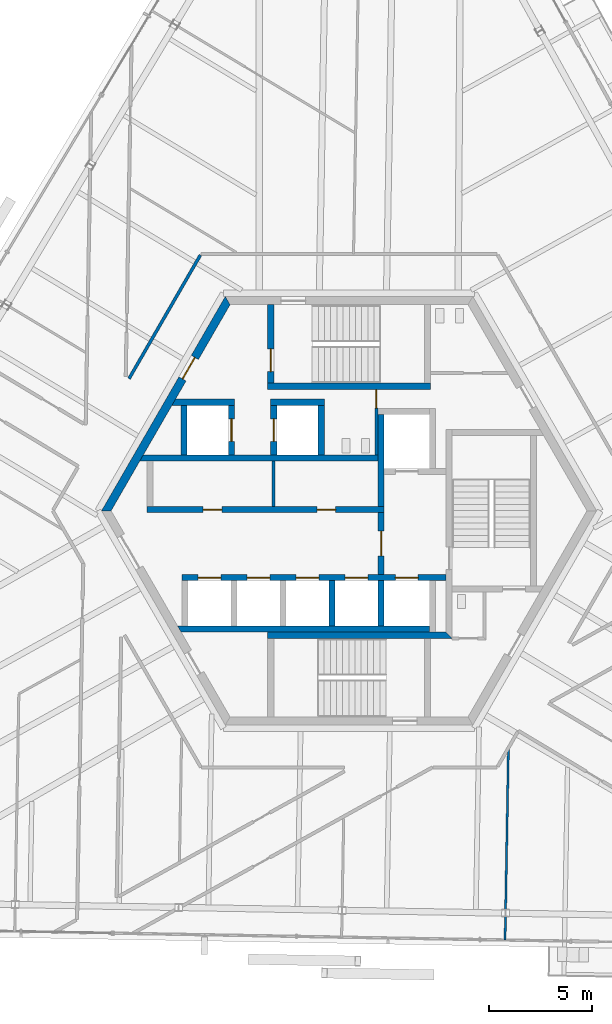
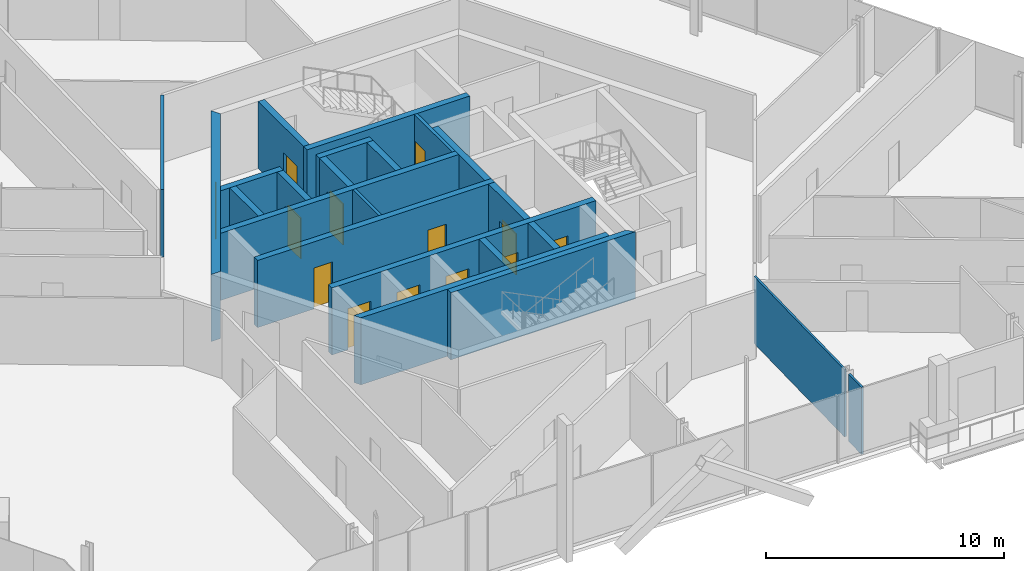
# One storey, part 12 of 20: 23 walls, 13 doors, 13 openings.
"""IFC4 building model written with IfcOpenShell, lengths in metres."""

from ifc_helpers import new_model, si_unit, direction, frame, frame_2d, origin, place, context, subcontext, project, spatial, polyline, rectangle, outline, extrude, source, transform, mapped, material, layer, layer_set, type_object, element, fill, save


model = new_model("IFC4")

# Units and contexts
model_context = context("Model", 3, precision=1e-05, world=origin(), true_north=direction((0.0, 1.0)))
body_context = subcontext(model_context, "Body", "Model", "MODEL_VIEW")
ifc_project = project(units=[si_unit("LENGTHUNIT", "METRE"), si_unit("AREAUNIT", "SQUARE_METRE"), si_unit("VOLUMEUNIT", "CUBIC_METRE"), si_unit("PLANEANGLEUNIT", "RADIAN"), si_unit("MASSUNIT", "GRAM", prefix="KILO")], contexts=[model_context])

# Site, building, storey
site_placement = place(None, origin())
site = spatial("IfcSite", under=ifc_project, at=site_placement, CompositionType="ELEMENT")
building_placement = place(site_placement, origin())
building = spatial("IfcBuilding", under=site, at=building_placement, Name="Triune Harvest Tower", CompositionType="ELEMENT")
storey_placement = place(building_placement, frame((0.0, 0.0, 194.300048828125)))
storey = spatial("IfcBuildingStorey", under=building, at=storey_placement, Name="L50", CompositionType="ELEMENT", Elevation=194.300048828125)

# Wall, opening, door
ifc_material_1 = material(Name="Concrete 70 MPa", Category="concrete")
ifc_layer_1 = layer(ifc_material_1, 0.39990234375)
ifc_layer_set_1 = layer_set([ifc_layer_1], Name="Concrete 70 MPa")
wall_type_1 = type_object("IfcWallType", Name="Core wall 400", PredefinedType="SHEAR", material=ifc_layer_set_1)
shared_shape_1 = source(origin(), body_context, "Body", "SweptSolid", [
    extrude(outline(polyline([(-0.115478515625, -0.199951171875), (11.884521484375, -0.199951171875), (11.653564453125, 0.199951171875), (0.115478515625, 0.199951171875), (-0.115478515625, -0.199951171875)])), origin(), (0.0, 0.0, 1.0), 3.43994140625),
])
wall_1_placement = place(storey_placement, frame((-5.884521484375, 10.1923828125, 0.0), z_axis=(0.0, 0.0, 1.0), x_axis=(-0.499996592174, -0.866027371285, 0.0)))
wall_1 = element("IfcWall", 1, at=wall_1_placement, inside=storey, type_object=wall_type_1, Name="Hexagon 2 wall", PredefinedType="SHEAR", context=body_context, shape_type="MappedRepresentation", body=[
    mapped(shared_shape_1, transform((0.0, 0.0, 0.0), scale=1.0)),
])
opening_1_placement = place(wall_1_placement, frame((3.1845703125, 0.0, 0.0)))
opening_1 = element("IfcOpeningElement", 2, at=opening_1_placement, cuts=wall_1, Name="Opening CD-SVP", PredefinedType="OPENING", context=body_context, shape_type="SweptSolid", body=[
    extrude(rectangle(XDim=1.199951171875, YDim=2.10009765625, at=frame_2d((0.60009765625, 1.050048828125))), frame((0.0, 0.2099609375, 0.0), z_axis=(0.0, -1.0, 0.0), x_axis=(1.0, 0.0, 0.0)), (0.0, 0.0, 1.0), 0.419921875),
])
ifc_material_2 = material(Name="Steel S235", Category="steel")
door_type_1 = type_object("IfcDoorType", Name="Service door 1200 FD120", OperationType="SINGLE_SWING_LEFT", PredefinedType="DOOR", material=ifc_material_2)
door_1_placement = place(opening_1_placement, frame((1.199951171875, 0.0, 0.0), z_axis=(0.0, 0.0, 1.0), x_axis=(-1.0, 0.0, 0.0)))
door_1 = element("IfcDoor", 3, at=door_1_placement, inside=storey, type_object=door_type_1, Name="Door CD-SVP", OperationType="SINGLE_SWING_RIGHT", OverallHeight=2.10009765625, OverallWidth=1.199951171875, PredefinedType="DOOR", context=body_context, shape_type="SweptSolid", body=[
    extrude(rectangle(XDim=1.199951171875, YDim=2.10009765625, at=frame_2d((0.60009765625, 1.050048828125))), frame((0.0, 0.02490234375, 0.0), z_axis=(0.0, -1.0, 0.0), x_axis=(1.0, 0.0, 0.0)), (0.0, 0.0, 1.0), 0.050048828125),
])
fill(opening_1, door_1)

# Wall, openings, doors
ifc_material_3 = material(Name="Concrete 70 MPa", Category="concrete")
ifc_layer_2 = layer(ifc_material_3, 0.300048828125)
ifc_layer_set_2 = layer_set([ifc_layer_2], Name="Concrete 70 MPa")
wall_type_2 = type_object("IfcWallType", Name="Core wall 300", PredefinedType="SHEAR", material=ifc_layer_set_2)
shared_shape_2 = source(origin(), body_context, "Body", "SweptSolid", [
    extrude(rectangle(XDim=11.5, YDim=0.300048828125, at=frame_2d((5.75, 0.0))), origin(), (0.0, 0.0, 1.0), 3.43994140625),
])
wall_2_placement = place(storey_placement, frame((-9.800048828125, 0.06005859375, 0.0), z_axis=(0.0, 0.0, 1.0), x_axis=(1.0, 0.0, 0.0)))
wall_2 = element("IfcWall", 4, at=wall_2_placement, inside=storey, type_object=wall_type_2, Name="North front wall", PredefinedType="SHEAR", context=body_context, shape_type="MappedRepresentation", body=[
    mapped(shared_shape_2, transform((0.0, 0.0, 0.0), scale=1.0)),
])
opening_2_placement = place(wall_2_placement, frame((2.7275390625, 0.0, 0.0)))
opening_2 = element("IfcOpeningElement", 5, at=opening_2_placement, cuts=wall_2, Name="Opening CD-RN1", PredefinedType="OPENING", context=body_context, shape_type="SweptSolid", body=[
    extrude(rectangle(XDim=0.89990234375, YDim=2.10009765625, at=frame_2d((0.449951171875, 1.050048828125))), frame((0.0, 0.16015625, 0.0), z_axis=(0.0, -1.0, 0.0), x_axis=(1.0, 0.0, 0.0)), (0.0, 0.0, 1.0), 0.320068359375),
])
opening_3_placement = place(wall_2_placement, frame((8.25244140625, 0.0, 0.0)))
opening_3 = element("IfcOpeningElement", 6, at=opening_3_placement, cuts=wall_2, Name="Opening CD-RN2", PredefinedType="OPENING", context=body_context, shape_type="SweptSolid", body=[
    extrude(rectangle(XDim=0.89990234375, YDim=2.10009765625, at=frame_2d((0.449951171875, 1.050048828125))), frame((0.0, 0.16015625, 0.0), z_axis=(0.0, -1.0, 0.0), x_axis=(1.0, 0.0, 0.0)), (0.0, 0.0, 1.0), 0.320068359375),
])
ifc_material_4 = material(Name="Steel S235", Category="steel")
door_type_2 = type_object("IfcDoorType", Name="Riser door 900 FD120", OperationType="SINGLE_SWING_LEFT", PredefinedType="DOOR", material=ifc_material_4)
door_2_placement = place(opening_2_placement, frame((0.89990234375, 0.0, 0.0), z_axis=(0.0, 0.0, 1.0), x_axis=(-1.0, 0.0, 0.0)))
door_2 = element("IfcDoor", 7, at=door_2_placement, inside=storey, type_object=door_type_2, Name="Door CD-RN1", OperationType="SINGLE_SWING_RIGHT", OverallHeight=2.10009765625, OverallWidth=0.89990234375, PredefinedType="DOOR", context=body_context, shape_type="SweptSolid", body=[
    extrude(rectangle(XDim=0.89990234375, YDim=2.10009765625, at=frame_2d((0.449951171875, 1.050048828125))), frame((0.0, 0.02490234375, 0.0), z_axis=(0.0, -1.0, 0.0), x_axis=(1.0, 0.0, 0.0)), (0.0, 0.0, 1.0), 0.050048828125),
])
fill(opening_2, door_2)
door_3_placement = place(opening_3_placement, frame((0.89990234375, 0.0, 0.0), z_axis=(0.0, 0.0, 1.0), x_axis=(-1.0, 0.0, 0.0)))
door_3 = element("IfcDoor", 8, at=door_3_placement, inside=storey, type_object=door_type_2, Name="Door CD-RN2", OperationType="SINGLE_SWING_RIGHT", OverallHeight=2.10009765625, OverallWidth=0.89990234375, PredefinedType="DOOR", context=body_context, shape_type="SweptSolid", body=[
    extrude(rectangle(XDim=0.89990234375, YDim=2.10009765625, at=frame_2d((0.449951171875, 1.050048828125))), frame((0.0, 0.02490234375, 0.0), z_axis=(0.0, -1.0, 0.0), x_axis=(1.0, 0.0, 0.0)), (0.0, 0.0, 1.0), 0.050048828125),
])
fill(opening_3, door_3)

# Walls
shared_shape_3 = source(origin(), body_context, "Body", "SweptSolid", [
    extrude(outline(polyline([(11.199951171875, -0.14990234375), (-0.34912109375, -0.14990234375), (-0.17578125, 0.14990234375), (11.199951171875, 0.14990234375), (11.199951171875, -0.14990234375)])), origin(), (0.0, 0.0, 1.0), 3.43994140625),
])
wall_3_placement = place(storey_placement, frame((-9.800048828125, 2.56005859375, 0.0), z_axis=(0.0, 0.0, 1.0), x_axis=(1.0, 0.0, 0.0)))
element("IfcWall", 9, at=wall_3_placement, inside=storey, type_object=wall_type_2, Name="North back wall", PredefinedType="SHEAR", context=body_context, shape_type="MappedRepresentation", body=[
    mapped(shared_shape_3, transform((0.0, 0.0, 0.0), scale=1.0)),
])
shared_shape_4 = source(origin(), body_context, "Body", "SweptSolid", [
    extrude(rectangle(XDim=4.449951171875, YDim=0.300048828125, at=frame_2d((2.22509765625, 0.0))), origin(), (0.0, 0.0, 1.0), 3.43994140625),
])
wall_4_placement = place(storey_placement, frame((1.550048828125, 0.2099609375, 0.0), z_axis=(0.0, 0.0, 1.0), x_axis=(0.0, 1.0, 0.0)))
element("IfcWall", 10, at=wall_4_placement, inside=storey, type_object=wall_type_2, Name="Ff1 west wall", PredefinedType="SHEAR", context=body_context, shape_type="MappedRepresentation", body=[
    mapped(shared_shape_4, transform((0.0, 0.0, 0.0), scale=1.0)),
])

# Wall, opening, door
shared_shape_5 = source(origin(), body_context, "Body", "SweptSolid", [
    extrude(rectangle(XDim=3.0, YDim=0.300048828125, at=frame_2d((1.5, 0.0))), origin(), (0.0, 0.0, 1.0), 3.43994140625),
])
wall_5_placement = place(storey_placement, frame((1.550048828125, -3.090087890625, 0.0), z_axis=(0.0, 0.0, 1.0), x_axis=(0.0, 1.0, 0.0)))
wall_5 = element("IfcWall", 11, at=wall_5_placement, inside=storey, type_object=wall_type_2, Name="Ff lobby west wall", PredefinedType="SHEAR", context=body_context, shape_type="MappedRepresentation", body=[
    mapped(shared_shape_5, transform((0.0, 0.0, 0.0), scale=1.0)),
])
opening_4_placement = place(wall_5_placement, frame((0.89990234375, 0.0, 0.0)))
opening_4 = element("IfcOpeningElement", 12, at=opening_4_placement, cuts=wall_5, Name="Opening CD-FL", PredefinedType="OPENING", context=body_context, shape_type="SweptSolid", body=[
    extrude(rectangle(XDim=1.199951171875, YDim=2.10009765625, at=frame_2d((0.60009765625, 1.050048828125))), frame((0.0, 0.16015625, 0.0), z_axis=(0.0, -1.0, 0.0), x_axis=(1.0, 0.0, 0.0)), (0.0, 0.0, 1.0), 0.320068359375),
])
ifc_material_5 = material(Name="Steel S235", Category="steel")
door_type_3 = type_object("IfcDoorType", Name="Firefighters' lobby door 1200 FD120", OperationType="SINGLE_SWING_LEFT", PredefinedType="DOOR", material=ifc_material_5)
door_4_placement = place(opening_4_placement, frame((1.199951171875, 0.0, 0.0), z_axis=(0.0, 0.0, 1.0), x_axis=(-1.0, 0.0, 0.0)))
door_4 = element("IfcDoor", 13, at=door_4_placement, inside=storey, type_object=door_type_3, Name="Door CD-FL", OperationType="SINGLE_SWING_RIGHT", OverallHeight=2.10009765625, OverallWidth=1.199951171875, PredefinedType="DOOR", context=body_context, shape_type="SweptSolid", body=[
    extrude(rectangle(XDim=1.199951171875, YDim=2.10009765625, at=frame_2d((0.60009765625, 1.050048828125))), frame((0.0, 0.02490234375, 0.0), z_axis=(0.0, -1.0, 0.0), x_axis=(1.0, 0.0, 0.0)), (0.0, 0.0, 1.0), 0.050048828125),
])
fill(opening_4, door_4)

# Wall, openings, doors
shared_shape_6 = source(origin(), body_context, "Body", "SweptSolid", [
    extrude(rectangle(XDim=12.800048828125, YDim=0.300048828125, at=frame_2d((6.39990234375, 0.0))), origin(), (0.0, 0.0, 1.0), 3.43994140625),
])
wall_6_placement = place(storey_placement, frame((-8.10009765625, -3.239990234375, 0.0), z_axis=(0.0, 0.0, 1.0), x_axis=(1.0, 0.0, 0.0)))
wall_6 = element("IfcWall", 14, at=wall_6_placement, inside=storey, type_object=wall_type_2, Name="South front wall", PredefinedType="SHEAR", context=body_context, shape_type="MappedRepresentation", body=[
    mapped(shared_shape_6, transform((0.0, 0.0, 0.0), scale=1.0)),
])
opening_5_placement = place(wall_6_placement, frame((0.78759765625, 0.0, 0.0)))
opening_5 = element("IfcOpeningElement", 15, at=opening_5_placement, cuts=wall_6, Name="Opening LD-HR1-50", PredefinedType="OPENING", context=body_context, shape_type="SweptSolid", body=[
    extrude(rectangle(XDim=1.10009765625, YDim=2.10009765625, at=frame_2d((0.550048828125, 1.050048828125))), frame((0.0, 0.16015625, 0.0), z_axis=(0.0, -1.0, 0.0), x_axis=(1.0, 0.0, 0.0)), (0.0, 0.0, 1.0), 0.320068359375),
])
opening_6_placement = place(wall_6_placement, frame((3.16259765625, 0.0, 0.0)))
opening_6 = element("IfcOpeningElement", 16, at=opening_6_placement, cuts=wall_6, Name="Opening LD-HR2-50", PredefinedType="OPENING", context=body_context, shape_type="SweptSolid", body=[
    extrude(rectangle(XDim=1.10009765625, YDim=2.10009765625, at=frame_2d((0.550048828125, 1.050048828125))), frame((0.0, 0.16015625, 0.0), z_axis=(0.0, -1.0, 0.0), x_axis=(1.0, 0.0, 0.0)), (0.0, 0.0, 1.0), 0.320068359375),
])
opening_7_placement = place(wall_6_placement, frame((5.53759765625, 0.0, 0.0)))
opening_7 = element("IfcOpeningElement", 17, at=opening_7_placement, cuts=wall_6, Name="Opening LD-HR3-50", PredefinedType="OPENING", context=body_context, shape_type="SweptSolid", body=[
    extrude(rectangle(XDim=1.10009765625, YDim=2.10009765625, at=frame_2d((0.550048828125, 1.050048828125))), frame((0.0, 0.16015625, 0.0), z_axis=(0.0, -1.0, 0.0), x_axis=(1.0, 0.0, 0.0)), (0.0, 0.0, 1.0), 0.320068359375),
])
opening_8_placement = place(wall_6_placement, frame((7.91259765625, 0.0, 0.0)))
opening_8 = element("IfcOpeningElement", 18, at=opening_8_placement, cuts=wall_6, Name="Opening LD-HR4-50", PredefinedType="OPENING", context=body_context, shape_type="SweptSolid", body=[
    extrude(rectangle(XDim=1.10009765625, YDim=2.10009765625, at=frame_2d((0.550048828125, 1.050048828125))), frame((0.0, 0.16015625, 0.0), z_axis=(0.0, -1.0, 0.0), x_axis=(1.0, 0.0, 0.0)), (0.0, 0.0, 1.0), 0.320068359375),
])
opening_9_placement = place(wall_6_placement, frame((10.35009765625, 0.0, 0.0)))
opening_9 = element("IfcOpeningElement", 19, at=opening_9_placement, cuts=wall_6, Name="Opening LD-FF2-50", PredefinedType="OPENING", context=body_context, shape_type="SweptSolid", body=[
    extrude(rectangle(XDim=1.10009765625, YDim=2.10009765625, at=frame_2d((0.550048828125, 1.050048828125))), frame((0.0, 0.16015625, 0.0), z_axis=(0.0, -1.0, 0.0), x_axis=(1.0, 0.0, 0.0)), (0.0, 0.0, 1.0), 0.320068359375),
])
ifc_material_6 = material(Name="Stainless steel AISI 304", Category="steel")
door_type_4 = type_object("IfcDoorType", Name="Landing door 1100 x 2100", OperationType="DOUBLE_DOOR_SLIDING", PredefinedType="DOOR", material=ifc_material_6)
door_5_placement = place(opening_5_placement, origin())
door_5 = element("IfcDoor", 20, at=door_5_placement, inside=storey, type_object=door_type_4, Name="Door LD-HR1-50", OperationType="DOUBLE_DOOR_SLIDING", OverallHeight=2.10009765625, OverallWidth=1.10009765625, PredefinedType="DOOR", context=body_context, shape_type="SweptSolid", body=[
    extrude(rectangle(XDim=1.10009765625, YDim=2.10009765625, at=frame_2d((0.550048828125, 1.050048828125))), frame((0.0, 0.02490234375, 0.0), z_axis=(0.0, -1.0, 0.0), x_axis=(1.0, 0.0, 0.0)), (0.0, 0.0, 1.0), 0.050048828125),
])
fill(opening_5, door_5)
door_6_placement = place(opening_6_placement, origin())
door_6 = element("IfcDoor", 21, at=door_6_placement, inside=storey, type_object=door_type_4, Name="Door LD-HR2-50", OperationType="DOUBLE_DOOR_SLIDING", OverallHeight=2.10009765625, OverallWidth=1.10009765625, PredefinedType="DOOR", context=body_context, shape_type="SweptSolid", body=[
    extrude(rectangle(XDim=1.10009765625, YDim=2.10009765625, at=frame_2d((0.550048828125, 1.050048828125))), frame((0.0, 0.02490234375, 0.0), z_axis=(0.0, -1.0, 0.0), x_axis=(1.0, 0.0, 0.0)), (0.0, 0.0, 1.0), 0.050048828125),
])
fill(opening_6, door_6)
door_7_placement = place(opening_7_placement, origin())
door_7 = element("IfcDoor", 22, at=door_7_placement, inside=storey, type_object=door_type_4, Name="Door LD-HR3-50", OperationType="DOUBLE_DOOR_SLIDING", OverallHeight=2.10009765625, OverallWidth=1.10009765625, PredefinedType="DOOR", context=body_context, shape_type="SweptSolid", body=[
    extrude(rectangle(XDim=1.10009765625, YDim=2.10009765625, at=frame_2d((0.550048828125, 1.050048828125))), frame((0.0, 0.02490234375, 0.0), z_axis=(0.0, -1.0, 0.0), x_axis=(1.0, 0.0, 0.0)), (0.0, 0.0, 1.0), 0.050048828125),
])
fill(opening_7, door_7)
door_8_placement = place(opening_8_placement, origin())
door_8 = element("IfcDoor", 23, at=door_8_placement, inside=storey, type_object=door_type_4, Name="Door LD-HR4-50", OperationType="DOUBLE_DOOR_SLIDING", OverallHeight=2.10009765625, OverallWidth=1.10009765625, PredefinedType="DOOR", context=body_context, shape_type="SweptSolid", body=[
    extrude(rectangle(XDim=1.10009765625, YDim=2.10009765625, at=frame_2d((0.550048828125, 1.050048828125))), frame((0.0, 0.02490234375, 0.0), z_axis=(0.0, -1.0, 0.0), x_axis=(1.0, 0.0, 0.0)), (0.0, 0.0, 1.0), 0.050048828125),
])
fill(opening_8, door_8)
door_9_placement = place(opening_9_placement, origin())
door_9 = element("IfcDoor", 24, at=door_9_placement, inside=storey, type_object=door_type_4, Name="Door LD-FF2-50", OperationType="DOUBLE_DOOR_SLIDING", OverallHeight=2.10009765625, OverallWidth=1.10009765625, PredefinedType="DOOR", context=body_context, shape_type="SweptSolid", body=[
    extrude(rectangle(XDim=1.10009765625, YDim=2.10009765625, at=frame_2d((0.550048828125, 1.050048828125))), frame((0.0, 0.02490234375, 0.0), z_axis=(0.0, -1.0, 0.0), x_axis=(1.0, 0.0, 0.0)), (0.0, 0.0, 1.0), 0.050048828125),
])
fill(opening_9, door_9)

# Walls
shared_shape_7 = source(origin(), body_context, "Body", "SweptSolid", [
    extrude(outline(polyline([(12.0, -0.14990234375), (-0.039794921875, -0.14990234375), (-0.212890625, 0.14990234375), (12.0, 0.14990234375), (12.0, -0.14990234375)])), origin(), (0.0, 0.0, 1.0), 3.43994140625),
])
wall_7_placement = place(storey_placement, frame((-8.10009765625, -5.739990234375, 0.0), z_axis=(0.0, 0.0, 1.0), x_axis=(1.0, 0.0, 0.0)))
element("IfcWall", 25, at=wall_7_placement, inside=storey, type_object=wall_type_2, Name="South back wall", PredefinedType="SHEAR", context=body_context, shape_type="MappedRepresentation", body=[
    mapped(shared_shape_7, transform((0.0, 0.0, 0.0), scale=1.0)),
])
shared_shape_8 = source(origin(), body_context, "Body", "SweptSolid", [
    extrude(rectangle(XDim=2.2001953125, YDim=0.300048828125, at=frame_2d((1.10009765625, 0.0))), origin(), (0.0, 0.0, 1.0), 3.43994140625),
])
for number, where, z_axis, x_axis, name in (
    (26, (1.550048828125, -5.590087890625, 0.0), (0.0, 0.0, 1.0), (0.0, 1.0, 0.0), "Ff2 west wall"),
    (27, (-0.824951171875, -5.590087890625, 0.0), (0.0, 0.0, 1.0), (0.0, 1.0, 0.0), "South cross 3 wall"),
):
    element("IfcWall", number, at=place(storey_placement, frame(where, z_axis=z_axis, x_axis=x_axis)), inside=storey, type_object=wall_type_2, Name=name, PredefinedType="SHEAR", context=body_context, shape_type="MappedRepresentation", body=[
        mapped(shared_shape_8, transform((0.0, 0.0, 0.0), scale=1.0)),
    ])
shared_shape_9 = source(origin(), body_context, "Body", "SweptSolid", [
    extrude(rectangle(XDim=7.89990234375, YDim=0.300048828125, at=frame_2d((3.949951171875, 0.0))), origin(), (0.0, 0.0, 1.0), 3.43994140625),
])
wall_8_placement = place(storey_placement, frame((-3.949951171875, 6.0400390625, 0.0), z_axis=(0.0, 0.0, 1.0), x_axis=(1.0, 0.0, 0.0)))
element("IfcWall", 28, at=wall_8_placement, inside=storey, type_object=wall_type_2, Name="Stair n south wall", PredefinedType="SHEAR", context=body_context, shape_type="MappedRepresentation", body=[
    mapped(shared_shape_9, transform((0.0, 0.0, 0.0), scale=1.0)),
])

# Wall, opening, door
shared_shape_10 = source(origin(), body_context, "Body", "SweptSolid", [
    extrude(outline(polyline([(0.0, -0.14990234375), (0.0, 0.14990234375), (3.80419921875, 0.14990234375), (3.80419921875, -0.14990234375), (0.0, -0.14990234375)])), origin(), (0.0, 0.0, 1.0), 3.43994140625),
])
wall_9_placement = place(storey_placement, frame((-3.800048828125, 6.18994140625, 0.0), z_axis=(0.0, 0.0, 1.0), x_axis=(0.0, 1.0, 0.0)))
wall_9 = element("IfcWall", 29, at=wall_9_placement, inside=storey, type_object=wall_type_2, Name="Stair n west wall", PredefinedType="SHEAR", context=body_context, shape_type="MappedRepresentation", body=[
    mapped(shared_shape_10, transform((0.0, 0.0, 0.0), scale=1.0)),
])
opening_10_placement = place(wall_9_placement, frame((0.56005859375, 0.0, 0.0)))
opening_10 = element("IfcOpeningElement", 30, at=opening_10_placement, cuts=wall_9, Name="Opening CD-S1L", PredefinedType="OPENING", context=body_context, shape_type="SweptSolid", body=[
    extrude(rectangle(XDim=1.10009765625, YDim=2.10009765625, at=frame_2d((0.550048828125, 1.050048828125))), frame((0.0, 0.16015625, 0.0), z_axis=(0.0, -1.0, 0.0), x_axis=(1.0, 0.0, 0.0)), (0.0, 0.0, 1.0), 0.320068359375),
])
ifc_material_7 = material(Name="Steel S235", Category="steel")
door_type_5 = type_object("IfcDoorType", Name="Stair door 1100 FD120", OperationType="SINGLE_SWING_LEFT", PredefinedType="DOOR", material=ifc_material_7)
door_10_placement = place(opening_10_placement, frame((1.10009765625, 0.0, 0.0), z_axis=(0.0, 0.0, 1.0), x_axis=(-1.0, 0.0, 0.0)))
door_10 = element("IfcDoor", 31, at=door_10_placement, inside=storey, type_object=door_type_5, Name="Door CD-S1L", OperationType="SINGLE_SWING_RIGHT", OverallHeight=2.10009765625, OverallWidth=1.10009765625, PredefinedType="DOOR", context=body_context, shape_type="SweptSolid", body=[
    extrude(rectangle(XDim=1.10009765625, YDim=2.10009765625, at=frame_2d((0.550048828125, 1.050048828125))), frame((0.0, 0.02490234375, 0.0), z_axis=(0.0, -1.0, 0.0), x_axis=(1.0, 0.0, 0.0)), (0.0, 0.0, 1.0), 0.050048828125),
])
fill(opening_10, door_10)

# Walls
shared_shape_11 = source(origin(), body_context, "Body", "SweptSolid", [
    extrude(outline(polyline([(0.0, -0.14990234375), (8.949951171875, -0.14990234375), (8.64990234375, 0.14990234375), (0.0, 0.14990234375), (0.0, -0.14990234375)])), origin(), (0.0, 0.0, 1.0), 3.43994140625),
])
wall_10_placement = place(storey_placement, frame((-3.949951171875, -6.0400390625, 0.0), z_axis=(0.0, 0.0, 1.0), x_axis=(1.0, 0.0, 0.0)))
element("IfcWall", 32, at=wall_10_placement, inside=storey, type_object=wall_type_2, Name="Stair s north wall", PredefinedType="SHEAR", context=body_context, shape_type="MappedRepresentation", body=[
    mapped(shared_shape_11, transform((0.0, 0.0, 0.0), scale=1.0)),
])
shared_shape_12 = source(origin(), body_context, "Body", "SweptSolid", [
    extrude(outline(polyline([(2.60009765625, -0.14990234375), (-0.440185546875, -0.14990234375), (-0.26708984375, 0.14990234375), (2.60009765625, 0.14990234375), (2.60009765625, -0.14990234375)])), origin(), (0.0, 0.0, 1.0), 3.43994140625),
])
wall_11_placement = place(storey_placement, frame((-8.14990234375, 5.260009765625, 0.0), z_axis=(0.0, 0.0, 1.0), x_axis=(1.0, 0.0, 0.0)))
element("IfcWall", 33, at=wall_11_placement, inside=storey, type_object=wall_type_2, Name="Sv1 north wall", PredefinedType="SHEAR", context=body_context, shape_type="MappedRepresentation", body=[
    mapped(shared_shape_12, transform((0.0, 0.0, 0.0), scale=1.0)),
])
shared_shape_13 = source(origin(), body_context, "Body", "SweptSolid", [
    extrude(rectangle(XDim=2.400146484375, YDim=0.300048828125, at=frame_2d((1.2001953125, 0.0))), origin(), (0.0, 0.0, 1.0), 3.43994140625),
])
wall_12_placement = place(storey_placement, frame((-8.0, 2.7099609375, 0.0), z_axis=(0.0, 0.0, 1.0), x_axis=(0.0, 1.0, 0.0)))
element("IfcWall", 34, at=wall_12_placement, inside=storey, type_object=wall_type_2, Name="Sv1 west wall", PredefinedType="SHEAR", context=body_context, shape_type="MappedRepresentation", body=[
    mapped(shared_shape_13, transform((0.0, 0.0, 0.0), scale=1.0)),
])

# Wall, opening, door
wall_13_placement = place(storey_placement, frame((-5.699951171875, 2.7099609375, 0.0), z_axis=(0.0, 0.0, 1.0), x_axis=(0.0, 1.0, 0.0)))
wall_13 = element("IfcWall", 35, at=wall_13_placement, inside=storey, type_object=wall_type_2, Name="Sv1 east wall", PredefinedType="SHEAR", context=body_context, shape_type="MappedRepresentation", body=[
    mapped(shared_shape_13, transform((0.0, 0.0, 0.0), scale=1.0)),
])
opening_11_placement = place(wall_13_placement, frame((0.64990234375, 0.0, 0.0)))
opening_11 = element("IfcOpeningElement", 36, at=opening_11_placement, cuts=wall_13, Name="Opening LD-SV1-50", PredefinedType="OPENING", context=body_context, shape_type="SweptSolid", body=[
    extrude(rectangle(XDim=1.10009765625, YDim=2.10009765625, at=frame_2d((0.550048828125, 1.050048828125))), frame((0.0, 0.16015625, 0.0), z_axis=(0.0, -1.0, 0.0), x_axis=(1.0, 0.0, 0.0)), (0.0, 0.0, 1.0), 0.320068359375),
])
door_11_placement = place(opening_11_placement, origin())
door_11 = element("IfcDoor", 37, at=door_11_placement, inside=storey, type_object=door_type_4, Name="Door LD-SV1-50", OperationType="DOUBLE_DOOR_SLIDING", OverallHeight=2.10009765625, OverallWidth=1.10009765625, PredefinedType="DOOR", context=body_context, shape_type="SweptSolid", body=[
    extrude(rectangle(XDim=1.10009765625, YDim=2.10009765625, at=frame_2d((0.550048828125, 1.050048828125))), frame((0.0, 0.02490234375, 0.0), z_axis=(0.0, -1.0, 0.0), x_axis=(1.0, 0.0, 0.0)), (0.0, 0.0, 1.0), 0.050048828125),
])
fill(opening_11, door_11)

wall_14_placement = place(storey_placement, frame((-3.64990234375, 2.7099609375, 0.0), z_axis=(0.0, 0.0, 1.0), x_axis=(0.0, 1.0, 0.0)))
wall_14 = element("IfcWall", 38, at=wall_14_placement, inside=storey, type_object=wall_type_2, Name="Sv2 west wall", PredefinedType="SHEAR", context=body_context, shape_type="MappedRepresentation", body=[
    mapped(shared_shape_13, transform((0.0, 0.0, 0.0), scale=1.0)),
])
opening_12_placement = place(wall_14_placement, frame((0.64990234375, 0.0, 0.0)))
opening_12 = element("IfcOpeningElement", 39, at=opening_12_placement, cuts=wall_14, Name="Opening LD-SV2-50", PredefinedType="OPENING", context=body_context, shape_type="SweptSolid", body=[
    extrude(rectangle(XDim=1.10009765625, YDim=2.10009765625, at=frame_2d((0.550048828125, 1.050048828125))), frame((0.0, 0.16015625, 0.0), z_axis=(0.0, -1.0, 0.0), x_axis=(1.0, 0.0, 0.0)), (0.0, 0.0, 1.0), 0.320068359375),
])
door_12_placement = place(opening_12_placement, origin())
door_12 = element("IfcDoor", 40, at=door_12_placement, inside=storey, type_object=door_type_4, Name="Door LD-SV2-50", OperationType="DOUBLE_DOOR_SLIDING", OverallHeight=2.10009765625, OverallWidth=1.10009765625, PredefinedType="DOOR", context=body_context, shape_type="SweptSolid", body=[
    extrude(rectangle(XDim=1.10009765625, YDim=2.10009765625, at=frame_2d((0.550048828125, 1.050048828125))), frame((0.0, 0.02490234375, 0.0), z_axis=(0.0, -1.0, 0.0), x_axis=(1.0, 0.0, 0.0)), (0.0, 0.0, 1.0), 0.050048828125),
])
fill(opening_12, door_12)

# Walls
wall_15_placement = place(storey_placement, frame((-1.35009765625, 2.7099609375, 0.0), z_axis=(0.0, 0.0, 1.0), x_axis=(0.0, 1.0, 0.0)))
element("IfcWall", 41, at=wall_15_placement, inside=storey, type_object=wall_type_2, Name="Sv2 east wall", PredefinedType="SHEAR", context=body_context, shape_type="MappedRepresentation", body=[
    mapped(shared_shape_13, transform((0.0, 0.0, 0.0), scale=1.0)),
])
shared_shape_14 = source(origin(), body_context, "Body", "SweptSolid", [
    extrude(rectangle(XDim=2.60009765625, YDim=0.300048828125, at=frame_2d((1.300048828125, 0.0))), origin(), (0.0, 0.0, 1.0), 3.43994140625),
])
wall_16_placement = place(storey_placement, frame((-3.800048828125, 5.260009765625, 0.0), z_axis=(0.0, 0.0, 1.0), x_axis=(1.0, 0.0, 0.0)))
element("IfcWall", 42, at=wall_16_placement, inside=storey, type_object=wall_type_2, Name="Sv2 north wall", PredefinedType="SHEAR", context=body_context, shape_type="MappedRepresentation", body=[
    mapped(shared_shape_14, transform((0.0, 0.0, 0.0), scale=1.0)),
])

# Wall, opening, door
ifc_material_8 = material(Name="Concrete masonry unit", Category="masonry")
ifc_layer_3 = layer(ifc_material_8, 0.14990234375)
ifc_layer_set_3 = layer_set([ifc_layer_3], Name="Concrete masonry unit")
wall_type_3 = type_object("IfcWallType", Name="Block partition 150 unrated", PredefinedType="PARTITIONING", material=ifc_layer_set_3)
shared_shape_15 = source(origin(), body_context, "Body", "SweptSolid", [
    extrude(rectangle(XDim=3.179931640625, YDim=0.14990234375, at=frame_2d((1.58984375, 0.0))), origin(), (0.0, 0.0, 1.0), 3.43994140625),
])
wall_17_placement = place(storey_placement, frame((1.324951171875, 2.7099609375, 0.0), z_axis=(0.0, 0.0, 1.0), x_axis=(0.0, 1.0, 0.0)))
wall_17 = element("IfcWall", 43, at=wall_17_placement, inside=storey, type_object=wall_type_3, Name="Wc men east wall", PredefinedType="PARTITIONING", context=body_context, shape_type="MappedRepresentation", body=[
    mapped(shared_shape_15, transform((0.0, 0.0, 0.0), scale=1.0)),
])
opening_13_placement = place(wall_17_placement, frame((2.264892578125, 0.0, 0.0)))
opening_13 = element("IfcOpeningElement", 44, at=opening_13_placement, cuts=wall_17, Name="Opening CD-WM", PredefinedType="OPENING", context=body_context, shape_type="SweptSolid", body=[
    extrude(rectangle(XDim=0.89990234375, YDim=2.10009765625, at=frame_2d((0.449951171875, 1.050048828125))), frame((0.0, 0.0849609375, 0.0), z_axis=(0.0, -1.0, 0.0), x_axis=(1.0, 0.0, 0.0)), (0.0, 0.0, 1.0), 0.169921875),
])
ifc_material_9 = material(Name="Timber C24", Category="wood")
door_type_6 = type_object("IfcDoorType", Name="WC door 900", OperationType="SINGLE_SWING_LEFT", PredefinedType="DOOR", material=ifc_material_9)
door_13_placement = place(opening_13_placement, origin())
door_13 = element("IfcDoor", 45, at=door_13_placement, inside=storey, type_object=door_type_6, Name="Door CD-WM", OperationType="SINGLE_SWING_LEFT", OverallHeight=2.10009765625, OverallWidth=0.89990234375, PredefinedType="DOOR", context=body_context, shape_type="SweptSolid", body=[
    extrude(rectangle(XDim=0.89990234375, YDim=2.10009765625, at=frame_2d((0.449951171875, 1.050048828125))), frame((0.0, 0.02490234375, 0.0), z_axis=(0.0, -1.0, 0.0), x_axis=(1.0, 0.0, 0.0)), (0.0, 0.0, 1.0), 0.050048828125),
])
fill(opening_13, door_13)

# Walls
ifc_material_10 = material(Name="Concrete masonry unit", Category="masonry")
ifc_layer_4 = layer(ifc_material_10, 0.14990234375)
ifc_layer_set_4 = layer_set([ifc_layer_4], Name="Concrete masonry unit")
wall_type_4 = type_object("IfcWallType", Name="Block partition 150", PredefinedType="PARTITIONING", material=ifc_layer_set_4)
shared_shape_16 = source(origin(), body_context, "Body", "SweptSolid", [
    extrude(rectangle(XDim=2.199951171875, YDim=0.14990234375, at=frame_2d((1.10009765625, 0.0))), origin(), (0.0, 0.0, 1.0), 3.43994140625),
])
wall_18_placement = place(storey_placement, frame((-3.669921875, 0.2099609375, 0.0), z_axis=(0.0, 0.0, 1.0), x_axis=(0.0, 1.0, 0.0)))
element("IfcWall", 46, at=wall_18_placement, inside=storey, type_object=wall_type_4, Name="Row n part 1 wall", PredefinedType="PARTITIONING", context=body_context, shape_type="MappedRepresentation", body=[
    mapped(shared_shape_16, transform((0.0, 0.0, 0.0), scale=1.0)),
])
ifc_material_11 = material(Name="Gypsum board on steel studs", Category="steel")
ifc_layer_5 = layer(ifc_material_11, 0.10009765625)
ifc_layer_set_5 = layer_set([ifc_layer_5], Name="Gypsum board on steel studs")
wall_type_5 = type_object("IfcWallType", Name="Partition 100 mm", PredefinedType="PARTITIONING", material=ifc_layer_set_5)
shared_shape_17 = source(origin(), body_context, "Body", "SweptSolid", [
    extrude(rectangle(XDim=1.130615234375, YDim=0.10009765625, at=frame_2d((0.5654296875, 0.0))), origin(), (0.0, 0.0, 1.0), 3.43994140625),
])
wall_19_placement = place(storey_placement, frame((7.565185546875, -20.812255859375, 0.0), z_axis=(0.0, 0.0, 1.0), x_axis=(0.017491923839, 0.999847004596, 0.0)))
element("IfcWall", 47, at=wall_19_placement, inside=storey, type_object=wall_type_5, Name="Partition L50 037", PredefinedType="PARTITIONING", context=body_context, shape_type="MappedRepresentation", body=[
    mapped(shared_shape_17, transform((0.0, 0.0, 0.0), scale=1.0)),
])
ifc_material_12 = material(Name="Gypsum board on steel studs", Category="steel")
ifc_layer_6 = layer(ifc_material_12, 0.14990234375)
ifc_layer_set_6 = layer_set([ifc_layer_6], Name="Gypsum board on steel studs")
wall_type_6 = type_object("IfcWallType", Name="Fire Partition 150 mm", PredefinedType="PARTITIONING", material=ifc_layer_set_6)
shared_shape_18 = source(origin(), body_context, "Body", "SweptSolid", [
    extrude(rectangle(XDim=6.91943359375, YDim=0.14990234375, at=frame_2d((3.459716796875, 0.0))), origin(), (0.0, 0.0, 1.0), 3.43994140625),
])
wall_20_placement = place(storey_placement, frame((-10.66845703125, 6.406494140625, 0.0), z_axis=(0.0, 0.0, 1.0), x_axis=(0.499971886711, 0.866041634391, 0.0)))
element("IfcWall", 48, at=wall_20_placement, inside=storey, type_object=wall_type_6, Name="Partition L50 033", PredefinedType="PARTITIONING", context=body_context, shape_type="MappedRepresentation", body=[
    mapped(shared_shape_18, transform((0.0, 0.0, 0.0), scale=1.0)),
])
shared_shape_19 = source(origin(), body_context, "Body", "SweptSolid", [
    extrude(rectangle(XDim=7.84033203125, YDim=0.10009765625, at=frame_2d((3.920166015625, 0.0))), origin(), (0.0, 0.0, 1.0), 3.43994140625),
])
wall_21_placement = place(storey_placement, frame((7.5908203125, -19.3388671875, 0.0), z_axis=(0.0, 0.0, 1.0), x_axis=(0.017469070781, 0.99984740414, 0.0)))
element("IfcWall", 49, at=wall_21_placement, inside=storey, type_object=wall_type_5, Name="Partition L50 038", PredefinedType="PARTITIONING", context=body_context, shape_type="MappedRepresentation", body=[
    mapped(shared_shape_19, transform((0.0, 0.0, 0.0), scale=1.0)),
])

save(model, "model.ifc")
